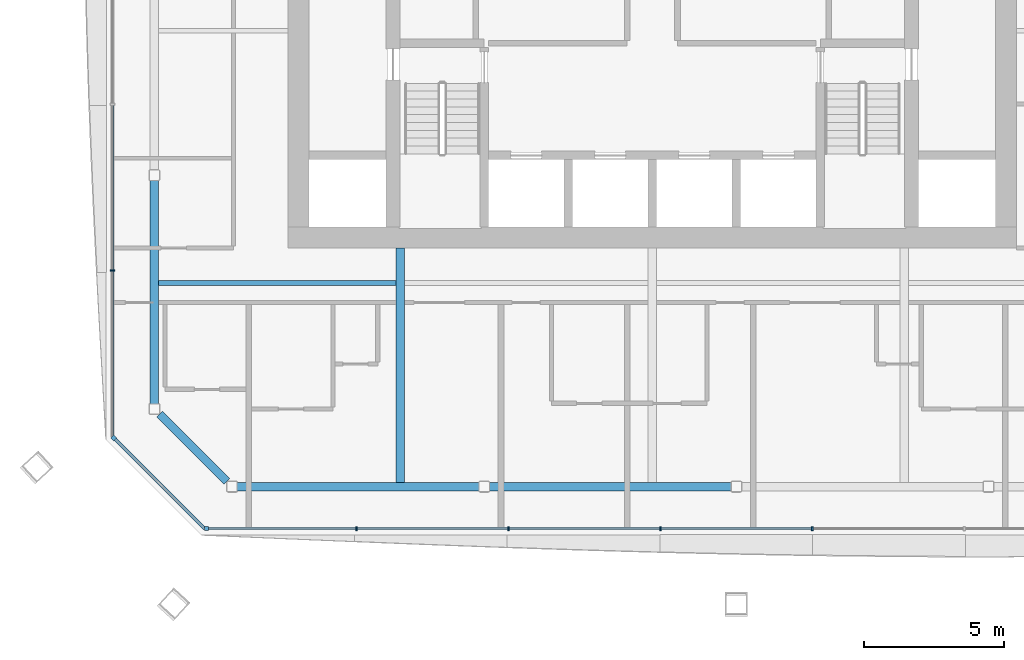
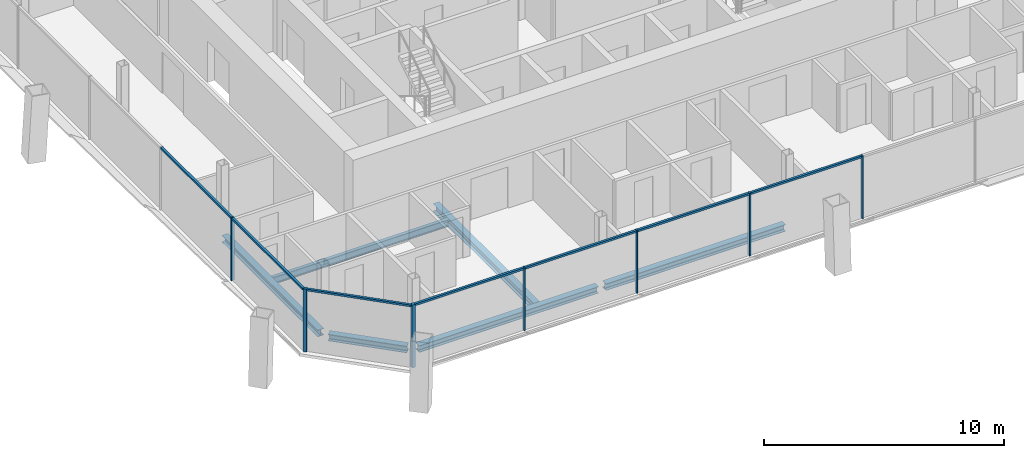
# One storey, part 4 of 21: 14 members, 6 beams, 3 elements without a shape of their own.
"""IFC4 building model written with IfcOpenShell, lengths in metres."""

from ifc_helpers import new_model, si_unit, direction, frame, origin, origin_2d, place, context, subcontext, project, spatial, rectangle, i_section, extrude, material, material_profile, profile_set, type_object, element, aggregate, save


model = new_model("IFC4")

# Units and contexts
model_context = context("Model", 3, precision=1e-05, world=origin(), true_north=direction((0.0, 1.0)))
body_context = subcontext(model_context, "Body", "Model", "MODEL_VIEW")
ifc_project = project(units=[si_unit("LENGTHUNIT", "METRE"), si_unit("AREAUNIT", "SQUARE_METRE"), si_unit("VOLUMEUNIT", "CUBIC_METRE"), si_unit("PLANEANGLEUNIT", "RADIAN"), si_unit("MASSUNIT", "GRAM", prefix="KILO")], contexts=[model_context])

# Site, building, storey
site_placement = place(None, origin())
site = spatial("IfcSite", under=ifc_project, at=site_placement, CompositionType="ELEMENT")
building_placement = place(site_placement, origin())
building = spatial("IfcBuilding", under=site, at=building_placement, Name="Tskaro Facet Tower", CompositionType="ELEMENT")
storey_placement = place(building_placement, frame((0.0, 0.0, 148.699951171875)))
storey = spatial("IfcBuildingStorey", under=building, at=storey_placement, Name="L36", CompositionType="ELEMENT", Elevation=148.699951171875)

# Curtain wall, member
ifc_material_1 = material(Name="Bronze anodised aluminium 6063-T6", Category="aluminium")
curtain_wall_type = type_object("IfcCurtainWallType", Name="Bronze hotel curtain wall (FW2)", PredefinedType="NOTDEFINED", material=ifc_material_1)
curtain_wall_1_placement = place(storey_placement, origin())
curtain_wall_1 = element("IfcCurtainWall", 1, at=curtain_wall_1_placement, inside=storey, type_object=curtain_wall_type, Name="FW2 south facet L36", PredefinedType="NOTDEFINED")
ifc_material_profile_1 = material_profile(ifc_material_1, rectangle(XDim=0.14990234375, YDim=0.14990234375, at=origin_2d()), Name="Corner post 150x150")
ifc_profile_set_1 = profile_set([ifc_material_profile_1], Name="Bronze anodised aluminium 6063-T6")
member_type_1 = type_object("IfcMemberType", Name="FW2 bronze corner post 150x150", PredefinedType="MULLION", material=ifc_profile_set_1)
member_1_placement = place(storey_placement, frame((-15.907958984375, -22.27197265625, 0.0), z_axis=(0.0, 0.0, 1.0), x_axis=(1.0, 0.0, 0.0)))
member_1 = element("IfcMember", 2, at=member_1_placement, type_object=member_type_1, Name="FW2 south corner post", PredefinedType="MULLION", context=body_context, shape_type="SweptSolid", body=[
    extrude(rectangle(XDim=0.14990234375, YDim=0.14990234375, at=origin_2d()), origin(), (0.0, 0.0, 1.0), 3.199951171875),
])

curtain_wall_2_placement = place(storey_placement, origin())
curtain_wall_2 = element("IfcCurtainWall", 3, at=curtain_wall_2_placement, inside=storey, type_object=curtain_wall_type, Name="FW2 south-west facet L36", PredefinedType="NOTDEFINED")
member_2_placement = place(storey_placement, frame((-19.218994140625, -19.0361328125, 0.0), z_axis=(0.0, 0.0, 1.0), x_axis=(0.707106781187, -0.707106781187, 0.0)))
member_2 = element("IfcMember", 4, at=member_2_placement, type_object=member_type_1, Name="FW2 south-west corner post", PredefinedType="MULLION", context=body_context, shape_type="SweptSolid", body=[
    extrude(rectangle(XDim=0.14990234375, YDim=0.14990234375, at=origin_2d()), origin(), (0.0, 0.0, 1.0), 3.199951171875),
])

# Member
ifc_material_profile_2 = material_profile(ifc_material_1, rectangle(XDim=0.06005859375, YDim=0.14990234375, at=origin_2d()), Name="Mullion 60x150")
ifc_profile_set_2 = profile_set([ifc_material_profile_2], Name="Bronze anodised aluminium 6063-T6")
member_type_2 = type_object("IfcMemberType", Name="FW2 bronze mullion 60x150", PredefinedType="MULLION", material=ifc_profile_set_2)
member_3_placement = place(storey_placement, frame((-10.559326171875, -22.27197265625, 0.0), z_axis=(0.0, 0.0, 1.0), x_axis=(1.0, 0.0, 0.0)))
member_3 = element("IfcMember", 5, at=member_3_placement, type_object=member_type_2, Name="FW2 south mullion 1", PredefinedType="MULLION", context=body_context, shape_type="SweptSolid", body=[
    extrude(rectangle(XDim=0.06005859375, YDim=0.14990234375, at=origin_2d()), origin(), (0.0, 0.0, 1.0), 3.199951171875),
])

member_4_placement = place(storey_placement, frame((-5.135498046875, -22.27197265625, 0.0), z_axis=(0.0, 0.0, 1.0), x_axis=(1.0, 0.0, 0.0)))
member_4 = element("IfcMember", 6, at=member_4_placement, type_object=member_type_2, Name="FW2 south mullion 2", PredefinedType="MULLION", context=body_context, shape_type="SweptSolid", body=[
    extrude(rectangle(XDim=0.06005859375, YDim=0.14990234375, at=origin_2d()), origin(), (0.0, 0.0, 1.0), 3.199951171875),
])

member_5_placement = place(storey_placement, frame((0.2880859375, -22.27197265625, 0.0), z_axis=(0.0, 0.0, 1.0), x_axis=(1.0, 0.0, 0.0)))
member_5 = element("IfcMember", 7, at=member_5_placement, type_object=member_type_2, Name="FW2 south mullion 3", PredefinedType="MULLION", context=body_context, shape_type="SweptSolid", body=[
    extrude(rectangle(XDim=0.06005859375, YDim=0.14990234375, at=origin_2d()), origin(), (0.0, 0.0, 1.0), 3.199951171875),
])

member_6_placement = place(storey_placement, frame((5.7119140625, -22.27197265625, 0.0), z_axis=(0.0, 0.0, 1.0), x_axis=(1.0, 0.0, 0.0)))
member_6 = element("IfcMember", 8, at=member_6_placement, type_object=member_type_2, Name="FW2 south mullion 4", PredefinedType="MULLION", context=body_context, shape_type="SweptSolid", body=[
    extrude(rectangle(XDim=0.06005859375, YDim=0.14990234375, at=origin_2d()), origin(), (0.0, 0.0, 1.0), 3.199951171875),
])

# Curtain wall, member
curtain_wall_3_placement = place(storey_placement, origin())
curtain_wall_3 = element("IfcCurtainWall", 9, at=curtain_wall_3_placement, inside=storey, type_object=curtain_wall_type, Name="FW2 west facet L36", PredefinedType="NOTDEFINED")
member_7_placement = place(storey_placement, frame((-19.27197265625, -13.053955078125, 0.0), z_axis=(0.0, 0.0, 1.0), x_axis=(0.0, -1.0, 0.0)))
member_7 = element("IfcMember", 10, at=member_7_placement, type_object=member_type_2, Name="FW2 west mullion 5", PredefinedType="MULLION", context=body_context, shape_type="SweptSolid", body=[
    extrude(rectangle(XDim=0.06005859375, YDim=0.14990234375, at=origin_2d()), origin(), (0.0, 0.0, 1.0), 3.199951171875),
])

# Member
ifc_material_profile_3 = material_profile(ifc_material_1, rectangle(XDim=0.110107421875, YDim=0.10009765625, at=origin_2d()), Name="Transom 110x100")
ifc_profile_set_3 = profile_set([ifc_material_profile_3], Name="Bronze anodised aluminium 6063-T6")
member_type_3 = type_object("IfcMemberType", Name="FW2 bronze transom 110x100", PredefinedType="USERDEFINED", material=ifc_profile_set_3)
member_8_placement = place(storey_placement, frame((-15.8330078125, -22.27197265625, 3.150146484375), z_axis=(1.0, 0.0, 0.0), x_axis=(0.0, 1.0, 0.0)))
member_8 = element("IfcMember", 11, at=member_8_placement, type_object=member_type_3, Name="FW2 south transom 1.1", ObjectType="TRANSOM", PredefinedType="USERDEFINED", context=body_context, shape_type="SweptSolid", body=[
    extrude(rectangle(XDim=0.110107421875, YDim=0.10009765625, at=origin_2d()), origin(), (0.0, 0.0, 1.0), 5.24365234375),
])

member_9_placement = place(storey_placement, frame((-10.529296875, -22.27197265625, 3.150146484375), z_axis=(1.0, 0.0, 0.0), x_axis=(0.0, 1.0, 0.0)))
member_9 = element("IfcMember", 12, at=member_9_placement, type_object=member_type_3, Name="FW2 south transom 2.1", ObjectType="TRANSOM", PredefinedType="USERDEFINED", context=body_context, shape_type="SweptSolid", body=[
    extrude(rectangle(XDim=0.110107421875, YDim=0.10009765625, at=origin_2d()), origin(), (0.0, 0.0, 1.0), 5.36376953125),
])

member_10_placement = place(storey_placement, frame((-5.10546875, -22.27197265625, 3.150146484375), z_axis=(1.0, 0.0, 0.0), x_axis=(0.0, 1.0, 0.0)))
member_10 = element("IfcMember", 13, at=member_10_placement, type_object=member_type_3, Name="FW2 south transom 3.1", ObjectType="TRANSOM", PredefinedType="USERDEFINED", context=body_context, shape_type="SweptSolid", body=[
    extrude(rectangle(XDim=0.110107421875, YDim=0.10009765625, at=origin_2d()), origin(), (0.0, 0.0, 1.0), 5.363525390625),
])

member_11_placement = place(storey_placement, frame((0.318115234375, -22.27197265625, 3.150146484375), z_axis=(1.0, 0.0, 0.0), x_axis=(0.0, 1.0, 0.0)))
member_11 = element("IfcMember", 14, at=member_11_placement, type_object=member_type_3, Name="FW2 south transom 4.1", ObjectType="TRANSOM", PredefinedType="USERDEFINED", context=body_context, shape_type="SweptSolid", body=[
    extrude(rectangle(XDim=0.110107421875, YDim=0.10009765625, at=origin_2d()), origin(), (0.0, 0.0, 1.0), 5.36376953125),
])

aggregate(curtain_wall_1, [member_1, member_3, member_4, member_5, member_6, member_8, member_9, member_10, member_11])

member_12_placement = place(storey_placement, frame((-19.27197265625, -7.15478515625, 3.150146484375), z_axis=(0.0, -1.0, 0.0), x_axis=(1.0, 0.0, 0.0)))
member_12 = element("IfcMember", 15, at=member_12_placement, type_object=member_type_3, Name="FW2 west transom 5.1", ObjectType="TRANSOM", PredefinedType="USERDEFINED", context=body_context, shape_type="SweptSolid", body=[
    extrude(rectangle(XDim=0.110107421875, YDim=0.10009765625, at=origin_2d()), origin(), (0.0, 0.0, 1.0), 5.869140625),
])

member_13_placement = place(storey_placement, frame((-19.27197265625, -13.083740234375, 3.150146484375), z_axis=(0.0, -1.0, 0.0), x_axis=(1.0, 0.0, 0.0)))
member_13 = element("IfcMember", 16, at=member_13_placement, type_object=member_type_3, Name="FW2 west transom 6.1", ObjectType="TRANSOM", PredefinedType="USERDEFINED", context=body_context, shape_type="SweptSolid", body=[
    extrude(rectangle(XDim=0.110107421875, YDim=0.10009765625, at=origin_2d()), origin(), (0.0, 0.0, 1.0), 5.899169921875),
])

aggregate(curtain_wall_3, [member_7, member_12, member_13])

member_14_placement = place(storey_placement, frame((-19.166015625, -19.089111328125, 3.150146484375), z_axis=(0.707133898856, -0.707079662477, 0.0), x_axis=(0.707079662477, 0.707133898856, 0.0)))
member_14 = element("IfcMember", 17, at=member_14_placement, type_object=member_type_3, Name="FW2 south-west transom 1.1", ObjectType="TRANSOM", PredefinedType="USERDEFINED", context=body_context, shape_type="SweptSolid", body=[
    extrude(rectangle(XDim=0.110107421875, YDim=0.10009765625, at=origin_2d()), origin(), (0.0, 0.0, 1.0), 4.50146484375),
])

aggregate(curtain_wall_2, [member_2, member_14])

# Beams
ifc_material_2 = material(Name="Steel S355J2", Category="steel")
ifc_material_profile_4 = material_profile(ifc_material_2, i_section(OverallWidth=0.300048828125, OverallDepth=0.340087890625, WebThickness=0.011962890625, FlangeThickness=0.021484375, FilletRadius=0.027099609375, at=origin_2d()), Name="HE 340 B")
ifc_profile_set_4 = profile_set([ifc_material_profile_4], Name="Steel S355J2")
beam_type_1 = type_object("IfcBeamType", Name="HE 340 B ring beam", PredefinedType="BEAM", material=ifc_profile_set_4)
beam_1_placement = place(storey_placement, frame((-14.819091796875, -20.77392578125, -0.31005859375), z_axis=(1.0, 0.0, 0.0), x_axis=(0.0, 1.0, 0.0)))
element("IfcBeam", 18, at=beam_1_placement, inside=storey, type_object=beam_type_1, Name="HE 340 B EB1-3", PredefinedType="BEAM", context=body_context, shape_type="SweptSolid", body=[
    extrude(i_section(OverallWidth=0.300048828125, OverallDepth=0.340087890625, WebThickness=0.011962890625, FlangeThickness=0.021484375, FilletRadius=0.027099609375, at=origin_2d()), origin(), (0.0, 0.0, 1.0), 8.63916015625),
])
beam_2_placement = place(storey_placement, frame((-5.820068359375, -20.77392578125, -0.31005859375), z_axis=(1.0, 0.0, 0.0), x_axis=(0.0, 1.0, 0.0)))
element("IfcBeam", 19, at=beam_2_placement, inside=storey, type_object=beam_type_1, Name="HE 340 B EB2-3", PredefinedType="BEAM", context=body_context, shape_type="SweptSolid", body=[
    extrude(i_section(OverallWidth=0.300048828125, OverallDepth=0.340087890625, WebThickness=0.011962890625, FlangeThickness=0.021484375, FilletRadius=0.027099609375, at=origin_2d()), origin(), (0.0, 0.0, 1.0), 8.64013671875),
])
beam_3_placement = place(storey_placement, frame((-17.77392578125, -9.8369140625, -0.31005859375), z_axis=(0.0, -1.0, 0.0), x_axis=(1.0, 0.0, 0.0)))
element("IfcBeam", 20, at=beam_3_placement, inside=storey, type_object=beam_type_1, Name="HE 340 B EB19-3", PredefinedType="BEAM", context=body_context, shape_type="SweptSolid", body=[
    extrude(i_section(OverallWidth=0.300048828125, OverallDepth=0.340087890625, WebThickness=0.011962890625, FlangeThickness=0.021484375, FilletRadius=0.027099609375, at=origin_2d()), origin(), (0.0, 0.0, 1.0), 7.982177734375),
])
beam_4_placement = place(storey_placement, frame((-17.588134765625, -18.184814453125, -0.31005859375), z_axis=(0.707106781187, -0.707106781187, 0.0), x_axis=(0.707106781187, 0.707106781187, 0.0)))
element("IfcBeam", 21, at=beam_4_placement, inside=storey, type_object=beam_type_1, Name="HE 340 B EB20-3", PredefinedType="BEAM", context=body_context, shape_type="SweptSolid", body=[
    extrude(i_section(OverallWidth=0.300048828125, OverallDepth=0.340087890625, WebThickness=0.011962890625, FlangeThickness=0.021484375, FilletRadius=0.027099609375, at=origin_2d()), origin(), (0.0, 0.0, 1.0), 3.39892578125),
])
ifc_material_profile_5 = material_profile(ifc_material_2, i_section(OverallWidth=0.300048828125, OverallDepth=0.389892578125, WebThickness=0.010986328125, FlangeThickness=0.01904296875, FilletRadius=0.027099609375, at=origin_2d()), Name="HE 400 A")
ifc_profile_set_5 = profile_set([ifc_material_profile_5], Name="Steel S355J2")
beam_type_2 = type_object("IfcBeamType", Name="HE 400 A girder", PredefinedType="BEAM", material=ifc_profile_set_5)
beam_5_placement = place(storey_placement, frame((-9.0, -20.6240234375, -0.3349609375), z_axis=(0.0, 1.0, 0.0), x_axis=(-1.0, 0.0, 0.0)))
element("IfcBeam", 22, at=beam_5_placement, inside=storey, type_object=beam_type_2, Name="HE 400 A GB3-1-3", PredefinedType="BEAM", context=body_context, shape_type="SweptSolid", body=[
    extrude(i_section(OverallWidth=0.300048828125, OverallDepth=0.389892578125, WebThickness=0.010986328125, FlangeThickness=0.01904296875, FilletRadius=0.027099609375, at=origin_2d()), origin(), (0.0, 0.0, 1.0), 8.3740234375),
])
ifc_material_profile_6 = material_profile(ifc_material_2, i_section(OverallWidth=0.169921875, OverallDepth=0.360107421875, WebThickness=0.008056640625, FlangeThickness=0.0126953125, FilletRadius=0.01806640625, at=origin_2d()), Name="IPE 360")
ifc_profile_set_6 = profile_set([ifc_material_profile_6], Name="Steel S355J2")
beam_type_3 = type_object("IfcBeamType", Name="IPE 360 secondary beam", PredefinedType="BEAM", material=ifc_profile_set_6)
beam_6_placement = place(storey_placement, frame((-17.6240234375, -13.5, -0.320068359375), z_axis=(1.0, 0.0, 0.0), x_axis=(0.0, 1.0, 0.0)))
element("IfcBeam", 23, at=beam_6_placement, inside=storey, type_object=beam_type_3, Name="IPE 360 SB2a-1-3", PredefinedType="BEAM", context=body_context, shape_type="SweptSolid", body=[
    extrude(i_section(OverallWidth=0.169921875, OverallDepth=0.360107421875, WebThickness=0.008056640625, FlangeThickness=0.0126953125, FilletRadius=0.01806640625, at=origin_2d()), origin(), (0.0, 0.0, 1.0), 8.47412109375),
])

save(model, "model.ifc")
